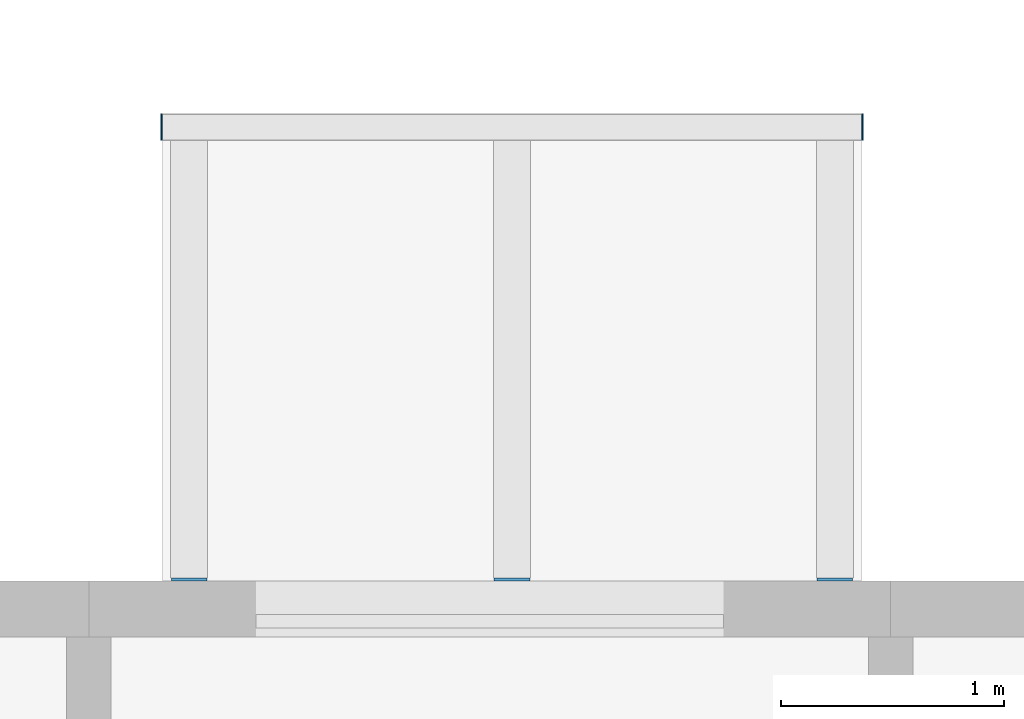
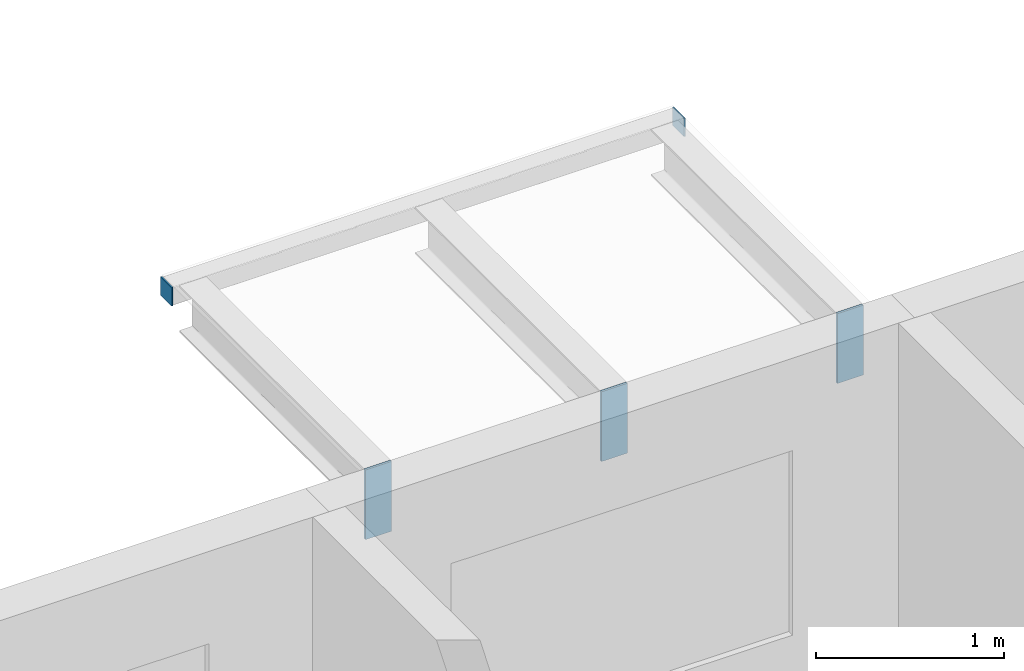
# One storey, part 94 of 122: 5 discrete accessories.
"""IFC4 building model written with IfcOpenShell, lengths in metres."""

from ifc_helpers import new_model, si_unit, direction, frame, origin, origin_2d, place, context, subcontext, project, spatial, rectangle, extrude, material, layer, layer_set, type_object, element, save


model = new_model("IFC4")

# Units and contexts
model_context = context("Model", 3, precision=1e-05, world=origin(), true_north=direction((0.0, 1.0)))
body_context = subcontext(model_context, "Body", "Model", "MODEL_VIEW")
ifc_project = project(units=[si_unit("LENGTHUNIT", "METRE"), si_unit("AREAUNIT", "SQUARE_METRE"), si_unit("VOLUMEUNIT", "CUBIC_METRE"), si_unit("PLANEANGLEUNIT", "RADIAN"), si_unit("MASSUNIT", "GRAM", prefix="KILO")], contexts=[model_context])

# Site, building, storey
site_placement = place(None, origin())
site = spatial("IfcSite", under=ifc_project, at=site_placement, CompositionType="ELEMENT")
building_placement = place(site_placement, origin())
building = spatial("IfcBuilding", under=site, at=building_placement, Name="Ridgestep Commons", CompositionType="ELEMENT")
storey_placement = place(building_placement, frame((0.0, 0.0, 3.0)))
storey = spatial("IfcBuildingStorey", under=building, at=storey_placement, Name="L01", CompositionType="ELEMENT", Elevation=3.0)

# Discrete accessories
ifc_material_1 = material(Name="Weathering steel S355J2W", Category="steel")
ifc_layer_1 = layer(ifc_material_1, 0.014892578125)
ifc_layer_set_1 = layer_set([ifc_layer_1], Name="Tray bracket plate 15")
discrete_accessory_type_1 = type_object("IfcDiscreteAccessoryType", Name="Tray bracket plate 15", PredefinedType="BRACKET", material=ifc_layer_set_1)
for number, where, z_axis, x_axis, name in (
    (1, (55.64990234375, 77.257568359375, 2.53662109375), (0.0, 0.0, 1.0), (1.0, 0.0, 0.0), "Tray bracket B3T2-02.1"),
    (2, (57.10009765625, 77.257568359375, 2.53662109375), (0.0, 0.0, 1.0), (1.0, 0.0, 0.0), "Tray bracket B3T2-02.2"),
    (3, (58.550048828125, 77.257568359375, 2.53662109375), (0.0, 0.0, 1.0), (1.0, 0.0, 0.0), "Tray bracket B3T2-02.3"),
):
    element("IfcDiscreteAccessory", number, at=place(storey_placement, frame(where, z_axis=z_axis, x_axis=x_axis)), inside=storey, type_object=discrete_accessory_type_1, Name=name, PredefinedType="BRACKET", context=body_context, shape_type="SweptSolid", body=[
        extrude(rectangle(XDim=0.159912109375, YDim=0.014892578125, at=origin_2d()), origin(), (0.0, 0.0, 1.0), 0.453369140625),
    ])
ifc_material_2 = material(Name="Weathering steel S355J2W", Category="steel")
ifc_layer_2 = layer(ifc_material_2, 0.008056640625)
ifc_layer_set_2 = layer_set([ifc_layer_2], Name="Tray edge member end plate 120 x 120 x 8")
discrete_accessory_type_2 = type_object("IfcDiscreteAccessoryType", Name="Tray edge member end plate 120 x 120 x 8", PredefinedType="BRACKET", material=ifc_layer_set_2)
for number, where, z_axis, x_axis, name in (
    (4, (55.52587890625, 79.2900390625, 2.869873046875), (0.0, 0.0, 1.0), (1.0, 0.0, 0.0), "Tray edge member end plate B3T2-02 west"),
    (5, (58.674072265625, 79.2900390625, 2.869873046875), (0.0, 0.0, 1.0), (1.0, 0.0, 0.0), "Tray edge member end plate B3T2-02 east"),
):
    element("IfcDiscreteAccessory", number, at=place(storey_placement, frame(where, z_axis=z_axis, x_axis=x_axis)), inside=storey, type_object=discrete_accessory_type_2, Name=name, PredefinedType="BRACKET", context=body_context, shape_type="SweptSolid", body=[
        extrude(rectangle(XDim=0.008056640625, YDim=0.1201171875, at=origin_2d()), origin(), (0.0, 0.0, 1.0), 0.1201171875),
    ])

save(model, "model.ifc")
